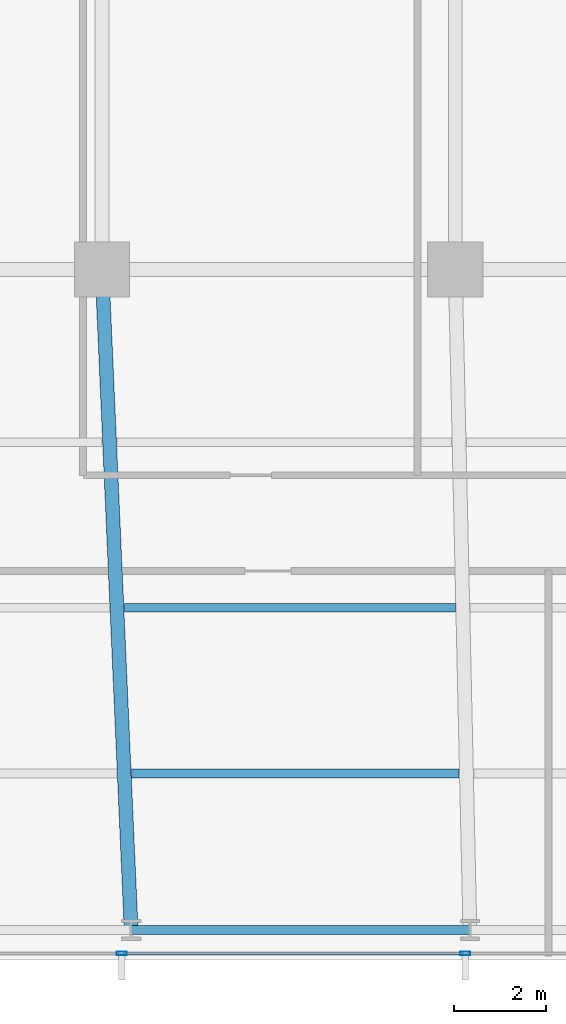
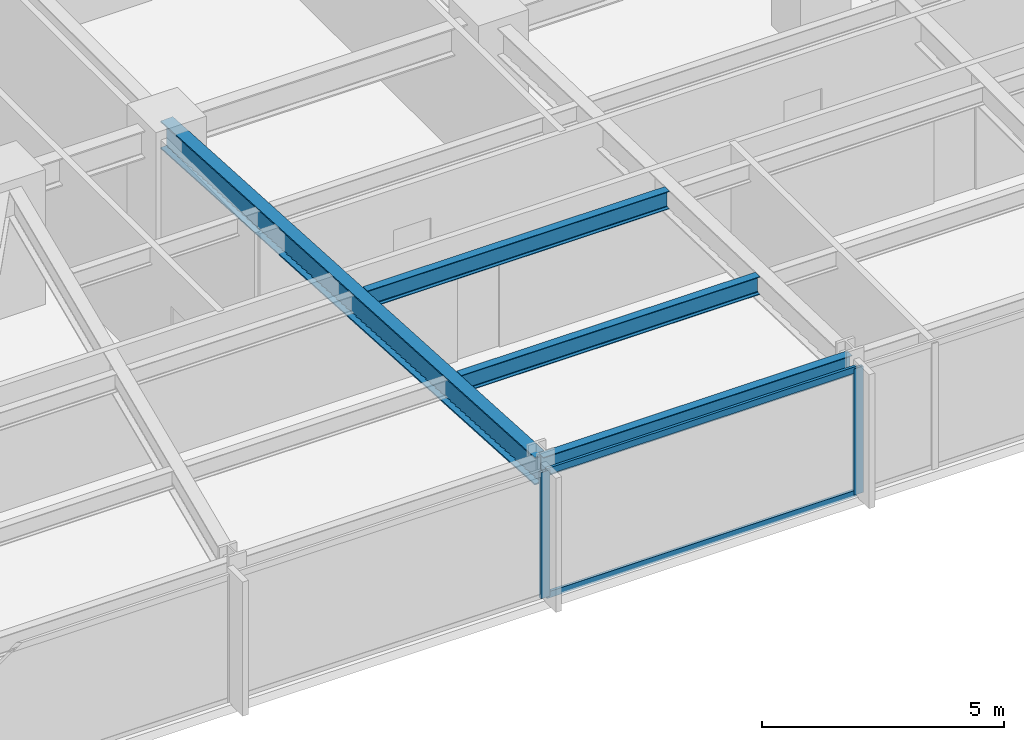
# One storey, part 5 of 32: 4 beams, 4 members, 1 element without a shape of its own.
"""IFC4 building model written with IfcOpenShell, lengths in metres."""

import ifcopenshell
import ifcopenshell.guid

model = None  # the IFC model being written
_history = None  # IfcOwnerHistory: only IFC2X3 demands one
_inside = {}  # id of a spatial element -> (the spatial element, [elements in it])
_under = {}  # id of a project, library or spatial element -> (it, [spatial elements below it])
_declared = {}  # id of a project -> (the project, [libraries it declares])
_typed = {}  # id of a type object -> (the type object, [elements of that type])
_made_of = {}  # id of a material, layer set ... -> (it, [elements and type objects made of it])


def new_model(schema):
    """Start an empty IFC model of exactly this schema.

    Asked for "IFC4X3", IfcOpenShell would pick the latest addendum, in which some entities
    have other attributes; the version numbers below select the first issue.
    IFC2X3 requires an IfcOwnerHistory on every rooted entity: one is made here for all.
    """
    global model, _history
    if schema == "IFC4X3":
        model = ifcopenshell.file(schema_version=(4, 3, 0, 0))
    else:
        model = ifcopenshell.file(schema=schema)
    _inside.clear()
    _under.clear()
    _declared.clear()
    _typed.clear()
    _made_of.clear()
    _history = None
    if model.schema == "IFC2X3":
        org = make("IfcOrganization", Name="unknown")
        user = make(
            "IfcPersonAndOrganization",
            ThePerson=make("IfcPerson", FamilyName="unknown"),
            TheOrganization=org,
        )
        app = make(
            "IfcApplication",
            ApplicationDeveloper=org,
            Version="unknown",
            ApplicationFullName="unknown",
            ApplicationIdentifier="unknown",
        )
        _history = make(
            "IfcOwnerHistory",
            OwningUser=user,
            OwningApplication=app,
            ChangeAction="ADDED",
            CreationDate=0,
        )
    return model


def make(cls, **values):
    """One entity of the class cls with the attributes given. An attribute that is None is left unset."""
    return model.create_entity(
        cls, **{name: value for name, value in values.items() if value is not None}
    )


def rooted(cls, **values):
    """An entity with a GlobalId (a new one), such as an element, a storey or a relation."""
    return make(cls, GlobalId=ifcopenshell.guid.new(), OwnerHistory=_history, **values)


def si_unit(unit_type, name, prefix=None):
    """IfcSIUnit, for example si_unit("LENGTHUNIT", "METRE", prefix="MILLI")."""
    return make("IfcSIUnit", UnitType=unit_type, Prefix=prefix, Name=name)


def assignment(units):
    """IfcUnitAssignment: the units of a project."""
    return None if units is None else make("IfcUnitAssignment", Units=units)


def point(xyz):
    """IfcCartesianPoint."""
    return None if xyz is None else make("IfcCartesianPoint", Coordinates=xyz)


def direction(xyz):
    """IfcDirection."""
    return None if xyz is None else make("IfcDirection", DirectionRatios=xyz)


def frame(location, z_axis=None, x_axis=None):
    """IfcAxis2Placement3D, a coordinate frame: its origin and axes. An axis left out is left unset."""
    return make(
        "IfcAxis2Placement3D",
        Location=point(location),
        Axis=direction(z_axis),
        RefDirection=direction(x_axis),
    )


def frame_2d(location, x_axis=None):
    """IfcAxis2Placement2D, a coordinate frame in the plane: its origin and x axis."""
    return make(
        "IfcAxis2Placement2D", Location=point(location), RefDirection=direction(x_axis)
    )


def origin():
    """The frame at (0, 0, 0) with its axes left unset."""
    return frame((0.0, 0.0, 0.0))


def origin_2d():
    """The frame at (0, 0) in the plane with its x axis left unset."""
    return frame_2d((0.0, 0.0))


def place(relative_to, where):
    """IfcLocalPlacement: puts the frame where relative to a parent placement (None: the world)."""
    return make(
        "IfcLocalPlacement", PlacementRelTo=relative_to, RelativePlacement=where
    )


def context(
    kind, dimensions, precision=None, world=None, true_north=None, identifier=None
):
    """IfcGeometricRepresentationContext, for example the 3D "Model" context."""
    return make(
        "IfcGeometricRepresentationContext",
        ContextIdentifier=identifier,
        ContextType=kind,
        CoordinateSpaceDimension=dimensions,
        Precision=precision,
        WorldCoordinateSystem=world,
        TrueNorth=true_north,
    )


def subcontext(parent, identifier, kind, view, scale=None):
    """IfcGeometricRepresentationSubContext, for example "Body" below "Model"."""
    return make(
        "IfcGeometricRepresentationSubContext",
        ContextIdentifier=identifier,
        ContextType=kind,
        ParentContext=parent,
        TargetScale=scale,
        TargetView=view,
    )


def project(units=None, contexts=None):
    """IfcProject with its units and contexts."""
    return rooted(
        "IfcProject",
        Name="project",
        RepresentationContexts=contexts,
        UnitsInContext=assignment(units),
    )


def spatial(cls, under=None, at=None, **own):
    """A site, building, storey or space (cls), placed at a placement, below another one or the project."""
    s = rooted(cls, ObjectPlacement=at, **own)
    if under is not None:
        _under.setdefault(under.id(), (under, []))[1].append(s)
    return s


def profile(cls, at=None, kind="AREA", **sizes):
    """A parametric profile (cls). Its sizes go by their IFC names, for example OverallWidth=200.0."""
    return make(cls, ProfileType=kind, Position=at, **sizes)


def hollow_rectangle(**sizes):
    """IfcRectangleHollowProfileDef."""
    return profile("IfcRectangleHollowProfileDef", **sizes)


def i_section(**sizes):
    """IfcIShapeProfileDef."""
    return profile("IfcIShapeProfileDef", **sizes)


def extrude(swept, where, along, depth):
    """IfcExtrudedAreaSolid: the profile swept, set in the frame where, extruded along a direction by depth."""
    return make(
        "IfcExtrudedAreaSolid",
        SweptArea=swept,
        Position=where,
        ExtrudedDirection=direction(along),
        Depth=depth,
    )


def shape(context_of_items, identifier, shape_type, items):
    """IfcShapeRepresentation: the items that make up one representation, for example the "Body"."""
    return make(
        "IfcShapeRepresentation",
        ContextOfItems=context_of_items,
        RepresentationIdentifier=identifier,
        RepresentationType=shape_type,
        Items=items,
    )


def material(Name=None, Category=None):
    """IfcMaterial."""
    return make("IfcMaterial", Name=Name, Category=Category)


def material_profile(
    of_material, cross_section, Name=None, Category=None, Priority=None
):
    """IfcMaterialProfile: a cross section and its material."""
    return make(
        "IfcMaterialProfile",
        Name=Name,
        Material=of_material,
        Profile=cross_section,
        Priority=Priority,
        Category=Category,
    )


def profile_set(profiles, Name=None, composite=None):
    """IfcMaterialProfileSet."""
    return make(
        "IfcMaterialProfileSet",
        Name=Name,
        MaterialProfiles=profiles,
        CompositeProfile=composite,
    )


def made_of(thing, what):
    """Note that an element or type object is made of a material, layer set ...; save() writes the relation."""
    if what is not None:
        _made_of.setdefault(what.id(), (what, []))[1].append(thing)
    return thing


def type_object(cls, material=None, **own):
    """A type object (cls), such as IfcWallType, which elements share."""
    return made_of(rooted(cls, **own), material)


def element(
    cls,
    number,
    at=None,
    inside=None,
    cuts=None,
    type_object=None,
    material=None,
    context=None,
    identifier="Body",
    shape_type=None,
    held_by="IfcProductDefinitionShape",
    body=None,
    shapes=None,
    **own,
):
    """One element of the class cls, such as IfcWall. Its Tag is "e" and its number.

    at: its placement. inside: the storey or other place that contains it. cuts: it is an
    opening in that element (IfcRelVoidsElement). A single representation is given by context,
    identifier, shape_type and body (its items); several are given by shapes. held_by: the class
    of the entity that holds the representations. save() writes the other relations.
    """
    e = rooted(cls, Tag="e%d" % number, ObjectPlacement=at, **own)
    if body is not None:
        shapes = [shape(context, identifier, shape_type, body)]
    if shapes is not None:
        e.Representation = make(held_by, Representations=shapes)
    if inside is not None:
        _inside.setdefault(inside.id(), (inside, []))[1].append(e)
    if cuts is not None:
        rooted(
            "IfcRelVoidsElement", RelatingBuildingElement=cuts, RelatedOpeningElement=e
        )
    if type_object is not None:
        _typed.setdefault(type_object.id(), (type_object, []))[1].append(e)
    return made_of(e, material)


def aggregate(whole, parts):
    """IfcRelAggregates: a whole, such as a stair, and the parts it consists of."""
    return rooted("IfcRelAggregates", RelatingObject=whole, RelatedObjects=parts)


def save(model, path):
    """Write the relations noted so far, then the file.

    IfcRelAggregates (storeys below a building ...), IfcRelContainedInSpatialStructure (elements
    in a storey), IfcRelDefinesByType, IfcRelAssociatesMaterial and IfcRelDeclares: one each for
    every whole, place, type object, material and project.
    """
    for whole, parts in _under.values():
        aggregate(whole, parts)
    for where, things in _inside.values():
        rooted(
            "IfcRelContainedInSpatialStructure",
            RelatedElements=things,
            RelatingStructure=where,
        )
    for kind, things in _typed.values():
        rooted("IfcRelDefinesByType", RelatedObjects=things, RelatingType=kind)
    for what, things in _made_of.values():
        rooted("IfcRelAssociatesMaterial", RelatedObjects=things, RelatingMaterial=what)
    for by, libraries in _declared.values():
        rooted("IfcRelDeclares", RelatingContext=by, RelatedDefinitions=libraries)
    model.write(path)


model = new_model("IFC4")

# Units and contexts
model_context = context("Model", 3, precision=1e-05, world=origin(), true_north=direction((0.0, 1.0)))
body_context = subcontext(model_context, "Body", "Model", "MODEL_VIEW")
ifc_project = project(units=[si_unit("LENGTHUNIT", "METRE"), si_unit("AREAUNIT", "SQUARE_METRE"), si_unit("VOLUMEUNIT", "CUBIC_METRE"), si_unit("PLANEANGLEUNIT", "RADIAN"), si_unit("MASSUNIT", "GRAM", prefix="KILO")], contexts=[model_context])

# Site, building, storey
site_placement = place(None, origin())
site = spatial("IfcSite", under=ifc_project, at=site_placement, CompositionType="ELEMENT")
building_placement = place(site_placement, origin())
building = spatial("IfcBuilding", under=site, at=building_placement, Name="Yelkora Congress Tower", CompositionType="ELEMENT")
storey_placement = place(building_placement, frame((0.0, 0.0, 33.800048828125)))
storey = spatial("IfcBuildingStorey", under=building, at=storey_placement, Name="L07", CompositionType="ELEMENT", Elevation=33.800048828125)

# Beams
ifc_material_1 = material(Name="Steel S355J2", Category="steel")
ifc_material_profile_1 = material_profile(ifc_material_1, i_section(OverallWidth=0.300048828125, OverallDepth=0.699951171875, WebThickness=0.01708984375, FlangeThickness=0.031982421875, FilletRadius=0.027099609375, at=origin_2d()), Name="HEB 700")
ifc_profile_set_1 = profile_set([ifc_material_profile_1], Name="Steel S355J2")
beam_type_1 = type_object("IfcBeamType", Name="BM-GIRD-HEB700", PredefinedType="BEAM", material=ifc_profile_set_1)
beam_1_placement = place(storey_placement, frame((23.675048828125, 10.85009765625, 2.829833984375), z_axis=(-0.044208738849, 0.999022315771, 0.0), x_axis=(-0.999022315771, -0.044208738849, 0.0)))
element("IfcBeam", 1, at=beam_1_placement, inside=storey, type_object=beam_type_1, Name="L07 Primary Frame Girder S03", PredefinedType="BEAM", context=body_context, shape_type="SweptSolid", body=[
    extrude(i_section(OverallWidth=0.300048828125, OverallDepth=0.699951171875, WebThickness=0.01708984375, FlangeThickness=0.031982421875, FilletRadius=0.027099609375, at=origin_2d()), origin(), (0.0, 0.0, 1.0), 14.364013671875),
])
ifc_material_profile_2 = material_profile(ifc_material_1, i_section(OverallWidth=0.18994140625, OverallDepth=0.449951171875, WebThickness=0.009521484375, FlangeThickness=0.0146484375, FilletRadius=0.02099609375, at=origin_2d()), Name="IPE 450")
ifc_profile_set_2 = profile_set([ifc_material_profile_2], Name="Steel S355J2")
beam_type_2 = type_object("IfcBeamType", Name="BM-JOIST-IPE450", PredefinedType="JOIST", material=ifc_profile_set_2)
beam_2_placement = place(storey_placement, frame((23.6845703125, 14.25, 2.954833984375), z_axis=(1.0, 0.0, 0.0), x_axis=(0.0, 1.0, 0.0)))
element("IfcBeam", 2, at=beam_2_placement, inside=storey, type_object=beam_type_2, Name="L07 Composite Floor Joist 3", PredefinedType="JOIST", context=body_context, shape_type="SweptSolid", body=[
    extrude(i_section(OverallWidth=0.18994140625, OverallDepth=0.449951171875, WebThickness=0.009521484375, FlangeThickness=0.0146484375, FilletRadius=0.02099609375, at=origin_2d()), origin(), (0.0, 0.0, 1.0), 7.11767578125),
])
beam_3_placement = place(storey_placement, frame((23.525146484375, 17.85009765625, 2.954833984375), z_axis=(1.0, 0.0, 0.0), x_axis=(0.0, 1.0, 0.0)))
element("IfcBeam", 3, at=beam_3_placement, inside=storey, type_object=beam_type_2, Name="L07 Composite Floor Joist 11", PredefinedType="JOIST", context=body_context, shape_type="SweptSolid", body=[
    extrude(i_section(OverallWidth=0.18994140625, OverallDepth=0.449951171875, WebThickness=0.009521484375, FlangeThickness=0.0146484375, FilletRadius=0.02099609375, at=origin_2d()), origin(), (0.0, 0.0, 1.0), 7.197509765625),
])
ifc_material_profile_3 = material_profile(ifc_material_1, i_section(OverallWidth=0.199951171875, OverallDepth=0.5, WebThickness=0.01025390625, FlangeThickness=0.01611328125, FilletRadius=0.02099609375, at=origin_2d()), Name="IPE 500")
ifc_profile_set_3 = profile_set([ifc_material_profile_3], Name="Steel S355J2")
beam_type_3 = type_object("IfcBeamType", Name="BM-SPAN-IPE500", PredefinedType="SPANDREL", material=ifc_profile_set_3)
beam_4_placement = place(storey_placement, frame((23.675048828125, 10.85009765625, 2.929931640625), z_axis=(1.0, 0.0, 0.0), x_axis=(0.0, 1.0, 0.0)))
element("IfcBeam", 4, at=beam_4_placement, inside=storey, type_object=beam_type_3, Name="L07 Perimeter Beam 4", PredefinedType="SPANDREL", context=body_context, shape_type="SweptSolid", body=[
    extrude(i_section(OverallWidth=0.199951171875, OverallDepth=0.5, WebThickness=0.01025390625, FlangeThickness=0.01611328125, FilletRadius=0.02099609375, at=origin_2d()), origin(), (0.0, 0.0, 1.0), 7.362548828125),
])

# Curtain wall, members
ifc_material_2 = material(Name="Anodised aluminium and insulated glass", Category="aluminium")
curtain_wall_type = type_object("IfcCurtainWallType", Name="CW-SYS-B1", PredefinedType="NOTDEFINED", material=ifc_material_2)
curtain_wall_placement = place(storey_placement, origin())
curtain_wall = element("IfcCurtainWall", 5, at=curtain_wall_placement, inside=storey, type_object=curtain_wall_type, Name="L07 Unitised Curtain Wall 20", PredefinedType="NOTDEFINED")
ifc_material_3 = material(Name="Anodised aluminium 6063-T6", Category="aluminium")
ifc_material_profile_4 = material_profile(ifc_material_3, hollow_rectangle(XDim=0.074951171875, YDim=0.219970703125, WallThickness=0.0048828125, at=origin_2d()), Name="ALU 75x220x5")
ifc_profile_set_4 = profile_set([ifc_material_profile_4], Name="Anodised aluminium 6063-T6")
member_type_1 = type_object("IfcMemberType", Name="MEM-ML-B1", PredefinedType="MULLION", material=ifc_profile_set_4)
member_1_placement = place(storey_placement, frame((30.93505859375, 10.340087890625, 0.0), z_axis=(0.0, 0.0, 1.0), x_axis=(0.0, -1.0, 0.0)))
member_1 = element("IfcMember", 6, at=member_1_placement, type_object=member_type_1, Name="CW-B1 mullion 6", PredefinedType="MULLION", context=body_context, shape_type="SweptSolid", body=[
    extrude(hollow_rectangle(XDim=0.074951171875, YDim=0.219970703125, WallThickness=0.0048828125, at=origin_2d()), origin(), (0.0, 0.0, 1.0), 3.179931640625),
])
member_2_placement = place(storey_placement, frame((23.469970703125, 10.340087890625, 0.0), z_axis=(0.0, 0.0, 1.0), x_axis=(0.0, -1.0, 0.0)))
member_2 = element("IfcMember", 7, at=member_2_placement, type_object=member_type_1, Name="CW-B1 mullion 7", PredefinedType="MULLION", context=body_context, shape_type="SweptSolid", body=[
    extrude(hollow_rectangle(XDim=0.074951171875, YDim=0.219970703125, WallThickness=0.0048828125, at=origin_2d()), origin(), (0.0, 0.0, 1.0), 3.179931640625),
])
ifc_material_profile_5 = material_profile(ifc_material_3, hollow_rectangle(XDim=0.06494140625, YDim=0.159912109375, WallThickness=0.00390625, at=origin_2d()), Name="ALU 65x160x4")
ifc_profile_set_5 = profile_set([ifc_material_profile_5], Name="Anodised aluminium 6063-T6")
member_type_2 = type_object("IfcMemberType", Name="MEM-TR-B1", PredefinedType="USERDEFINED", material=ifc_profile_set_5)
member_3_placement = place(storey_placement, frame((30.8974609375, 10.340087890625, 0.032470703125), z_axis=(-1.0, 0.0, 0.0), x_axis=(0.0, -1.0, 0.0)))
member_3 = element("IfcMember", 8, at=member_3_placement, type_object=member_type_2, Name="CW-B1 transom 6.1", ObjectType="TRANSOM", PredefinedType="USERDEFINED", context=body_context, shape_type="SweptSolid", body=[
    extrude(hollow_rectangle(XDim=0.06494140625, YDim=0.159912109375, WallThickness=0.00390625, at=origin_2d()), origin(), (0.0, 0.0, 1.0), 7.389892578125),
])
member_4_placement = place(storey_placement, frame((30.8974609375, 10.340087890625, 3.1474609375), z_axis=(-1.0, 0.0, 0.0), x_axis=(0.0, -1.0, 0.0)))
member_4 = element("IfcMember", 9, at=member_4_placement, type_object=member_type_2, Name="CW-B1 transom 6.2", ObjectType="TRANSOM", PredefinedType="USERDEFINED", context=body_context, shape_type="SweptSolid", body=[
    extrude(hollow_rectangle(XDim=0.06494140625, YDim=0.159912109375, WallThickness=0.00390625, at=origin_2d()), origin(), (0.0, 0.0, 1.0), 7.389892578125),
])
aggregate(curtain_wall, [member_1, member_2, member_3, member_4])

save(model, "model.ifc")
